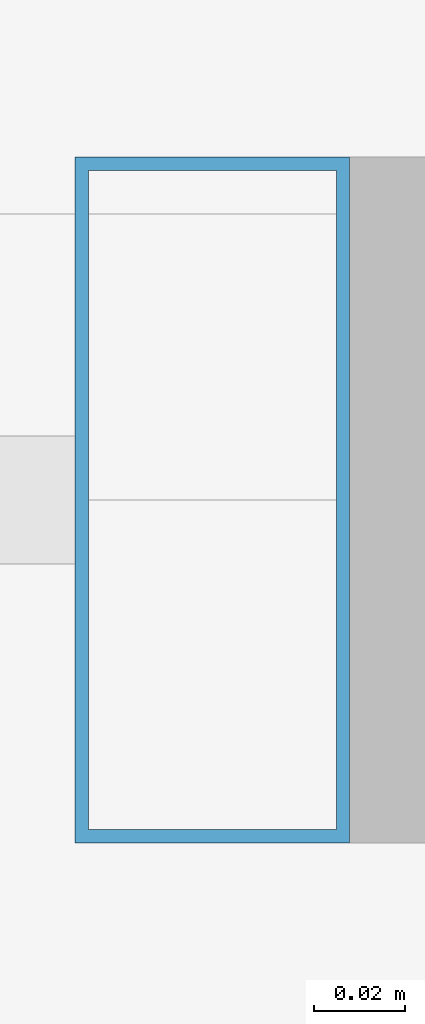
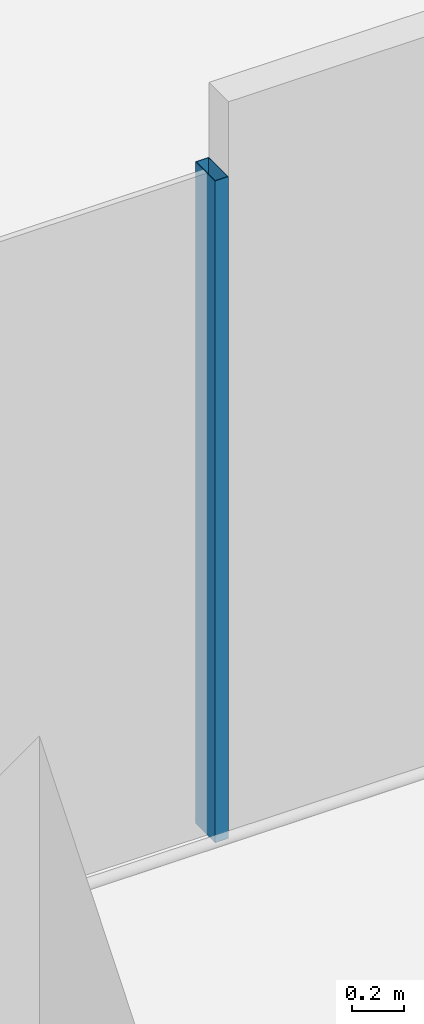
# One storey, part 7 of 56: 1 member, 1 element without a shape of its own.
"""IFC4 building model written with IfcOpenShell, lengths in metres."""

import ifcopenshell
import ifcopenshell.guid

model = None  # the IFC model being written
_history = None  # IfcOwnerHistory: only IFC2X3 demands one
_inside = {}  # id of a spatial element -> (the spatial element, [elements in it])
_under = {}  # id of a project, library or spatial element -> (it, [spatial elements below it])
_declared = {}  # id of a project -> (the project, [libraries it declares])
_typed = {}  # id of a type object -> (the type object, [elements of that type])
_made_of = {}  # id of a material, layer set ... -> (it, [elements and type objects made of it])


def new_model(schema):
    """Start an empty IFC model of exactly this schema.

    Asked for "IFC4X3", IfcOpenShell would pick the latest addendum, in which some entities
    have other attributes; the version numbers below select the first issue.
    IFC2X3 requires an IfcOwnerHistory on every rooted entity: one is made here for all.
    """
    global model, _history
    if schema == "IFC4X3":
        model = ifcopenshell.file(schema_version=(4, 3, 0, 0))
    else:
        model = ifcopenshell.file(schema=schema)
    _inside.clear()
    _under.clear()
    _declared.clear()
    _typed.clear()
    _made_of.clear()
    _history = None
    if model.schema == "IFC2X3":
        org = make("IfcOrganization", Name="unknown")
        user = make(
            "IfcPersonAndOrganization",
            ThePerson=make("IfcPerson", FamilyName="unknown"),
            TheOrganization=org,
        )
        app = make(
            "IfcApplication",
            ApplicationDeveloper=org,
            Version="unknown",
            ApplicationFullName="unknown",
            ApplicationIdentifier="unknown",
        )
        _history = make(
            "IfcOwnerHistory",
            OwningUser=user,
            OwningApplication=app,
            ChangeAction="ADDED",
            CreationDate=0,
        )
    return model


def make(cls, **values):
    """One entity of the class cls with the attributes given. An attribute that is None is left unset."""
    return model.create_entity(
        cls, **{name: value for name, value in values.items() if value is not None}
    )


def rooted(cls, **values):
    """An entity with a GlobalId (a new one), such as an element, a storey or a relation."""
    return make(cls, GlobalId=ifcopenshell.guid.new(), OwnerHistory=_history, **values)


def si_unit(unit_type, name, prefix=None):
    """IfcSIUnit, for example si_unit("LENGTHUNIT", "METRE", prefix="MILLI")."""
    return make("IfcSIUnit", UnitType=unit_type, Prefix=prefix, Name=name)


def assignment(units):
    """IfcUnitAssignment: the units of a project."""
    return None if units is None else make("IfcUnitAssignment", Units=units)


def point(xyz):
    """IfcCartesianPoint."""
    return None if xyz is None else make("IfcCartesianPoint", Coordinates=xyz)


def direction(xyz):
    """IfcDirection."""
    return None if xyz is None else make("IfcDirection", DirectionRatios=xyz)


def frame(location, z_axis=None, x_axis=None):
    """IfcAxis2Placement3D, a coordinate frame: its origin and axes. An axis left out is left unset."""
    return make(
        "IfcAxis2Placement3D",
        Location=point(location),
        Axis=direction(z_axis),
        RefDirection=direction(x_axis),
    )


def frame_2d(location, x_axis=None):
    """IfcAxis2Placement2D, a coordinate frame in the plane: its origin and x axis."""
    return make(
        "IfcAxis2Placement2D", Location=point(location), RefDirection=direction(x_axis)
    )


def origin():
    """The frame at (0, 0, 0) with its axes left unset."""
    return frame((0.0, 0.0, 0.0))


def origin_2d():
    """The frame at (0, 0) in the plane with its x axis left unset."""
    return frame_2d((0.0, 0.0))


def place(relative_to, where):
    """IfcLocalPlacement: puts the frame where relative to a parent placement (None: the world)."""
    return make(
        "IfcLocalPlacement", PlacementRelTo=relative_to, RelativePlacement=where
    )


def context(
    kind, dimensions, precision=None, world=None, true_north=None, identifier=None
):
    """IfcGeometricRepresentationContext, for example the 3D "Model" context."""
    return make(
        "IfcGeometricRepresentationContext",
        ContextIdentifier=identifier,
        ContextType=kind,
        CoordinateSpaceDimension=dimensions,
        Precision=precision,
        WorldCoordinateSystem=world,
        TrueNorth=true_north,
    )


def subcontext(parent, identifier, kind, view, scale=None):
    """IfcGeometricRepresentationSubContext, for example "Body" below "Model"."""
    return make(
        "IfcGeometricRepresentationSubContext",
        ContextIdentifier=identifier,
        ContextType=kind,
        ParentContext=parent,
        TargetScale=scale,
        TargetView=view,
    )


def project(units=None, contexts=None):
    """IfcProject with its units and contexts."""
    return rooted(
        "IfcProject",
        Name="project",
        RepresentationContexts=contexts,
        UnitsInContext=assignment(units),
    )


def spatial(cls, under=None, at=None, **own):
    """A site, building, storey or space (cls), placed at a placement, below another one or the project."""
    s = rooted(cls, ObjectPlacement=at, **own)
    if under is not None:
        _under.setdefault(under.id(), (under, []))[1].append(s)
    return s


def profile(cls, at=None, kind="AREA", **sizes):
    """A parametric profile (cls). Its sizes go by their IFC names, for example OverallWidth=200.0."""
    return make(cls, ProfileType=kind, Position=at, **sizes)


def hollow_rectangle(**sizes):
    """IfcRectangleHollowProfileDef."""
    return profile("IfcRectangleHollowProfileDef", **sizes)


def extrude(swept, where, along, depth):
    """IfcExtrudedAreaSolid: the profile swept, set in the frame where, extruded along a direction by depth."""
    return make(
        "IfcExtrudedAreaSolid",
        SweptArea=swept,
        Position=where,
        ExtrudedDirection=direction(along),
        Depth=depth,
    )


def shape(context_of_items, identifier, shape_type, items):
    """IfcShapeRepresentation: the items that make up one representation, for example the "Body"."""
    return make(
        "IfcShapeRepresentation",
        ContextOfItems=context_of_items,
        RepresentationIdentifier=identifier,
        RepresentationType=shape_type,
        Items=items,
    )


def material(Name=None, Category=None):
    """IfcMaterial."""
    return make("IfcMaterial", Name=Name, Category=Category)


def material_profile(
    of_material, cross_section, Name=None, Category=None, Priority=None
):
    """IfcMaterialProfile: a cross section and its material."""
    return make(
        "IfcMaterialProfile",
        Name=Name,
        Material=of_material,
        Profile=cross_section,
        Priority=Priority,
        Category=Category,
    )


def profile_set(profiles, Name=None, composite=None):
    """IfcMaterialProfileSet."""
    return make(
        "IfcMaterialProfileSet",
        Name=Name,
        MaterialProfiles=profiles,
        CompositeProfile=composite,
    )


def made_of(thing, what):
    """Note that an element or type object is made of a material, layer set ...; save() writes the relation."""
    if what is not None:
        _made_of.setdefault(what.id(), (what, []))[1].append(thing)
    return thing


def type_object(cls, material=None, **own):
    """A type object (cls), such as IfcWallType, which elements share."""
    return made_of(rooted(cls, **own), material)


def element(
    cls,
    number,
    at=None,
    inside=None,
    cuts=None,
    type_object=None,
    material=None,
    context=None,
    identifier="Body",
    shape_type=None,
    held_by="IfcProductDefinitionShape",
    body=None,
    shapes=None,
    **own,
):
    """One element of the class cls, such as IfcWall. Its Tag is "e" and its number.

    at: its placement. inside: the storey or other place that contains it. cuts: it is an
    opening in that element (IfcRelVoidsElement). A single representation is given by context,
    identifier, shape_type and body (its items); several are given by shapes. held_by: the class
    of the entity that holds the representations. save() writes the other relations.
    """
    e = rooted(cls, Tag="e%d" % number, ObjectPlacement=at, **own)
    if body is not None:
        shapes = [shape(context, identifier, shape_type, body)]
    if shapes is not None:
        e.Representation = make(held_by, Representations=shapes)
    if inside is not None:
        _inside.setdefault(inside.id(), (inside, []))[1].append(e)
    if cuts is not None:
        rooted(
            "IfcRelVoidsElement", RelatingBuildingElement=cuts, RelatedOpeningElement=e
        )
    if type_object is not None:
        _typed.setdefault(type_object.id(), (type_object, []))[1].append(e)
    return made_of(e, material)


def aggregate(whole, parts):
    """IfcRelAggregates: a whole, such as a stair, and the parts it consists of."""
    return rooted("IfcRelAggregates", RelatingObject=whole, RelatedObjects=parts)


def save(model, path):
    """Write the relations noted so far, then the file.

    IfcRelAggregates (storeys below a building ...), IfcRelContainedInSpatialStructure (elements
    in a storey), IfcRelDefinesByType, IfcRelAssociatesMaterial and IfcRelDeclares: one each for
    every whole, place, type object, material and project.
    """
    for whole, parts in _under.values():
        aggregate(whole, parts)
    for where, things in _inside.values():
        rooted(
            "IfcRelContainedInSpatialStructure",
            RelatedElements=things,
            RelatingStructure=where,
        )
    for kind, things in _typed.values():
        rooted("IfcRelDefinesByType", RelatedObjects=things, RelatingType=kind)
    for what, things in _made_of.values():
        rooted("IfcRelAssociatesMaterial", RelatedObjects=things, RelatingMaterial=what)
    for by, libraries in _declared.values():
        rooted("IfcRelDeclares", RelatingContext=by, RelatedDefinitions=libraries)
    model.write(path)


model = new_model("IFC4")

# Units and contexts
model_context = context("Model", 3, precision=1e-05, world=origin(), true_north=direction((0.0, 1.0)))
body_context = subcontext(model_context, "Body", "Model", "MODEL_VIEW")
ifc_project = project(units=[si_unit("LENGTHUNIT", "METRE"), si_unit("AREAUNIT", "SQUARE_METRE"), si_unit("VOLUMEUNIT", "CUBIC_METRE"), si_unit("PLANEANGLEUNIT", "RADIAN"), si_unit("MASSUNIT", "GRAM", prefix="KILO")], contexts=[model_context])

# Site, building, storey
site_placement = place(None, origin())
site = spatial("IfcSite", under=ifc_project, at=site_placement, CompositionType="ELEMENT")
building_placement = place(site_placement, origin())
building = spatial("IfcBuilding", under=site, at=building_placement, Name="Altepetl Exchange Towers", CompositionType="ELEMENT")
storey_placement = place(building_placement, frame((0.0, 0.0, 54.60009765625)))
storey = spatial("IfcBuildingStorey", under=building, at=storey_placement, Name="L12", CompositionType="ELEMENT", Elevation=54.60009765625)

# Curtain wall, member
ifc_material_1 = material(Name="Aluminium 6063-T6 glazing", Category="aluminium")
curtain_wall_type = type_object("IfcCurtainWallType", Name="Loggia glazing system", PredefinedType="NOTDEFINED", material=ifc_material_1)
curtain_wall_placement = place(storey_placement, origin())
curtain_wall = element("IfcCurtainWall", 1, at=curtain_wall_placement, inside=storey, type_object=curtain_wall_type, Name="CW1 run", PredefinedType="NOTDEFINED")
ifc_material_2 = material(Name="Aluminium 6063-T6", Category="aluminium")
ifc_material_profile = material_profile(ifc_material_2, hollow_rectangle(XDim=0.06005859375, YDim=0.14990234375, WallThickness=0.0029296875, at=origin_2d()), Name="Mullion 60x150 aluminium")
ifc_profile_set = profile_set([ifc_material_profile], Name="Aluminium 6063-T6")
member_type = type_object("IfcMemberType", Name="Mullion 60x150 aluminium", PredefinedType="MULLION", material=ifc_profile_set)
member_placement = place(storey_placement, frame((47.152099609375, 29.0, 0.0)))
member = element("IfcMember", 2, at=member_placement, type_object=member_type, Name="MU1 mullion", PredefinedType="MULLION", context=body_context, shape_type="SweptSolid", body=[
    extrude(hollow_rectangle(XDim=0.06005859375, YDim=0.14990234375, WallThickness=0.0029296875, at=origin_2d()), origin(), (0.0, 0.0, 1.0), 3.099853515625),
])
aggregate(curtain_wall, [member])

save(model, "model.ifc")
